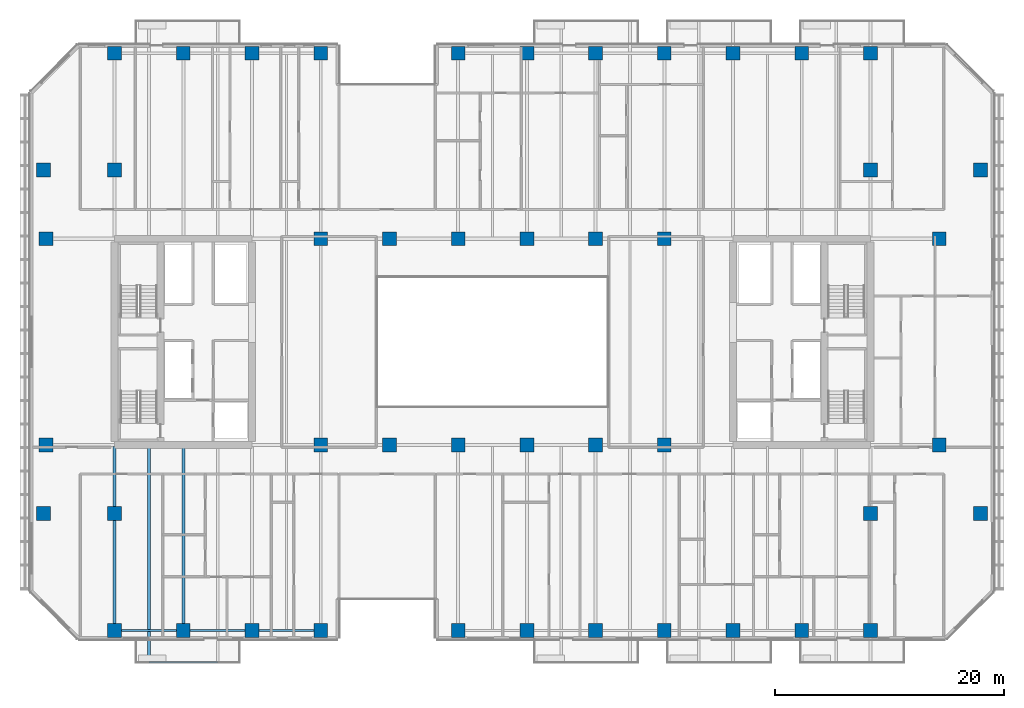
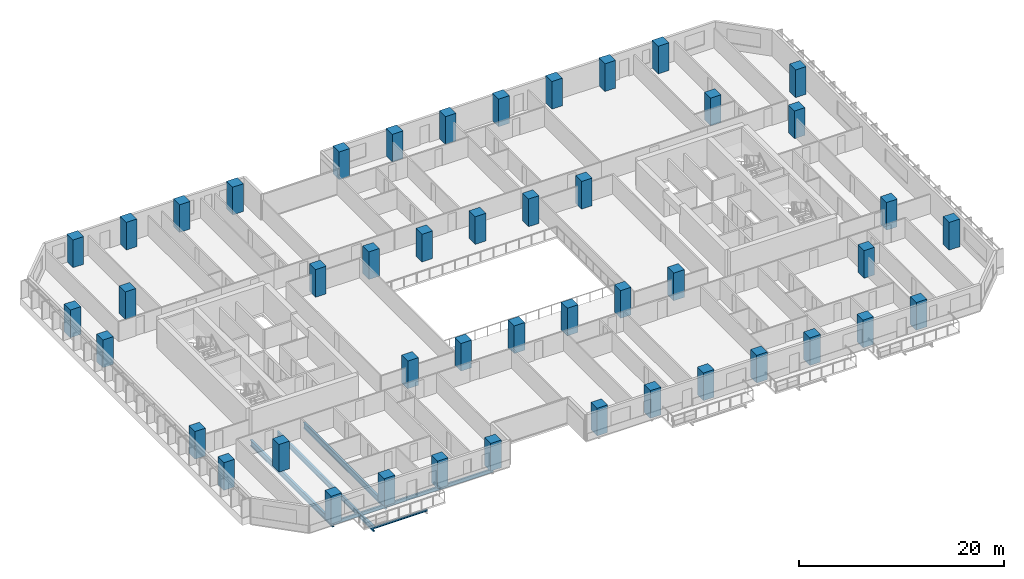
# One storey, part 1 of 26: 46 columns, 7 beams.
"""IFC4 building model written with IfcOpenShell, lengths in metres."""

from ifc_helpers import new_model, si_unit, direction, frame, origin, origin_2d, place, context, subcontext, project, spatial, rectangle, hollow_rectangle, i_section, extrude, material, material_profile, profile_set, type_object, element, save


model = new_model("IFC4")

# Units and contexts
model_context = context("Model", 3, precision=1e-05, world=origin(), true_north=direction((0.0, 1.0)))
body_context = subcontext(model_context, "Body", "Model", "MODEL_VIEW")
ifc_project = project(units=[si_unit("LENGTHUNIT", "METRE"), si_unit("AREAUNIT", "SQUARE_METRE"), si_unit("VOLUMEUNIT", "CUBIC_METRE"), si_unit("PLANEANGLEUNIT", "RADIAN"), si_unit("MASSUNIT", "GRAM", prefix="KILO")], contexts=[model_context])

# Site, building, storey
site_placement = place(None, origin())
site = spatial("IfcSite", under=ifc_project, at=site_placement, CompositionType="ELEMENT")
building_placement = place(site_placement, origin())
building = spatial("IfcBuilding", under=site, at=building_placement, Name="Tanjung Sevakor Pilgrim Tower", CompositionType="ELEMENT")
storey_placement = place(building_placement, frame((0.0, 0.0, 48.840087890625)))
storey = spatial("IfcBuildingStorey", under=building, at=storey_placement, Name="L13", CompositionType="ELEMENT", Elevation=48.840087890625)

# Columns
ifc_material_1 = material(Name="Concrete C60/75", Category="concrete")
ifc_material_profile_1 = material_profile(ifc_material_1, rectangle(XDim=1.199951171875, YDim=1.199951171875, at=origin_2d()))
ifc_profile_set_1 = profile_set([ifc_material_profile_1], Name="Concrete C60/75")
column_type = type_object("IfcColumnType", Name="COL-C-T1200-RC_1200x1200", PredefinedType="COLUMN", material=ifc_profile_set_1)
for number, where, z_axis, x_axis, name in (
    (1, (18.0, 24.60009765625, 0.0), (0.0, 0.0, 1.0), (1.0, 0.0, 0.0), "L13 Column SPW-018-246"),
    (2, (18.0, 42.60009765625, 0.0), (0.0, 0.0, 1.0), (1.0, 0.0, 0.0), "L13 Column SPW-018-426"),
    (3, (42.0, 24.60009765625, 0.0), (0.0, 0.0, 1.0), (1.0, 0.0, 0.0), "L13 Column SPW-042-246"),
    (4, (42.0, 42.60009765625, 0.0), (0.0, 0.0, 1.0), (1.0, 0.0, 0.0), "L13 Column SPW-042-426"),
    (5, (48.0, 24.60009765625, 0.0), (0.0, 0.0, 1.0), (1.0, 0.0, 0.0), "L13 Column SPW-048-246"),
    (6, (48.0, 42.60009765625, 0.0), (0.0, 0.0, 1.0), (1.0, 0.0, 0.0), "L13 Column SPW-048-426"),
    (7, (54.0, 24.60009765625, 0.0), (0.0, 0.0, 1.0), (1.0, 0.0, 0.0), "L13 Column SPE-054-246"),
    (8, (54.0, 42.60009765625, 0.0), (0.0, 0.0, 1.0), (1.0, 0.0, 0.0), "L13 Column SPE-054-426"),
    (9, (60.0, 24.60009765625, 0.0), (0.0, 0.0, 1.0), (1.0, 0.0, 0.0), "L13 Column SPE-060-246"),
    (10, (60.0, 42.60009765625, 0.0), (0.0, 0.0, 1.0), (1.0, 0.0, 0.0), "L13 Column SPE-060-426"),
    (11, (66.0, 24.60009765625, 0.0), (0.0, 0.0, 1.0), (1.0, 0.0, 0.0), "L13 Column SPE-066-246"),
    (12, (66.0, 42.60009765625, 0.0), (0.0, 0.0, 1.0), (1.0, 0.0, 0.0), "L13 Column SPE-066-426"),
    (13, (72.0, 24.60009765625, 0.0), (0.0, 0.0, 1.0), (1.0, 0.0, 0.0), "L13 Column SPE-072-246"),
    (14, (72.0, 42.60009765625, 0.0), (0.0, 0.0, 1.0), (1.0, 0.0, 0.0), "L13 Column SPE-072-426"),
    (15, (96.0, 24.60009765625, 0.0), (0.0, 0.0, 1.0), (1.0, 0.0, 0.0), "L13 Column SPE-096-246"),
    (16, (96.0, 42.60009765625, 0.0), (0.0, 0.0, 1.0), (1.0, 0.0, 0.0), "L13 Column SPE-096-426"),
    (17, (17.800048828125, 18.60009765625, 0.0), (0.0, 0.0, 1.0), (1.0, 0.0, 0.0), "L13 Column TCE-0178-186"),
    (18, (17.800048828125, 48.60009765625, 0.0), (0.0, 0.0, 1.0), (1.0, 0.0, 0.0), "L13 Column TCE-0178-486"),
    (19, (24.0, 18.60009765625, 0.0), (0.0, 0.0, 1.0), (1.0, 0.0, 0.0), "L13 Column TCE-0240-186"),
    (20, (24.0, 48.60009765625, 0.0), (0.0, 0.0, 1.0), (1.0, 0.0, 0.0), "L13 Column TCE-0240-486"),
    (21, (90.0, 18.60009765625, 0.0), (0.0, 0.0, 1.0), (1.0, 0.0, 0.0), "L13 Column TCE-0900-186"),
    (22, (90.0, 48.60009765625, 0.0), (0.0, 0.0, 1.0), (1.0, 0.0, 0.0), "L13 Column TCE-0900-486"),
    (23, (99.60009765625, 18.60009765625, 0.0), (0.0, 0.0, 1.0), (1.0, 0.0, 0.0), "L13 Column TCE-0996-186"),
    (24, (99.60009765625, 48.60009765625, 0.0), (0.0, 0.0, 1.0), (1.0, 0.0, 0.0), "L13 Column TCE-0996-486"),
    (25, (24.0, 8.39990234375, 0.0), (0.0, 0.0, 1.0), (1.0, 0.0, 0.0), "L13 Column TC1-024-084"),
    (26, (24.0, 58.800048828125, 0.0), (0.0, 0.0, 1.0), (1.0, 0.0, 0.0), "L13 Column TC1-024-588"),
    (27, (30.0, 8.39990234375, 0.0), (0.0, 0.0, 1.0), (1.0, 0.0, 0.0), "L13 Column TC1-030-084"),
    (28, (30.0, 58.800048828125, 0.0), (0.0, 0.0, 1.0), (1.0, 0.0, 0.0), "L13 Column TC1-030-588"),
    (29, (36.0, 8.39990234375, 0.0), (0.0, 0.0, 1.0), (1.0, 0.0, 0.0), "L13 Column TC1-036-084"),
    (30, (36.0, 58.800048828125, 0.0), (0.0, 0.0, 1.0), (1.0, 0.0, 0.0), "L13 Column TC1-036-588"),
    (31, (42.0, 8.39990234375, 0.0), (0.0, 0.0, 1.0), (1.0, 0.0, 0.0), "L13 Column TC1-042-084"),
    (32, (42.0, 58.800048828125, 0.0), (0.0, 0.0, 1.0), (1.0, 0.0, 0.0), "L13 Column TC1-042-588"),
    (33, (54.0, 8.39990234375, 0.0), (0.0, 0.0, 1.0), (1.0, 0.0, 0.0), "L13 Column TC1-054-084"),
    (34, (54.0, 58.800048828125, 0.0), (0.0, 0.0, 1.0), (1.0, 0.0, 0.0), "L13 Column TC1-054-588"),
    (35, (60.0, 8.39990234375, 0.0), (0.0, 0.0, 1.0), (1.0, 0.0, 0.0), "L13 Column TC1-060-084"),
    (36, (60.0, 58.800048828125, 0.0), (0.0, 0.0, 1.0), (1.0, 0.0, 0.0), "L13 Column TC1-060-588"),
    (37, (66.0, 8.39990234375, 0.0), (0.0, 0.0, 1.0), (1.0, 0.0, 0.0), "L13 Column TC1-066-084"),
    (38, (66.0, 58.800048828125, 0.0), (0.0, 0.0, 1.0), (1.0, 0.0, 0.0), "L13 Column TC1-066-588"),
    (39, (72.0, 8.39990234375, 0.0), (0.0, 0.0, 1.0), (1.0, 0.0, 0.0), "L13 Column TC1-072-084"),
    (40, (72.0, 58.800048828125, 0.0), (0.0, 0.0, 1.0), (1.0, 0.0, 0.0), "L13 Column TC1-072-588"),
    (41, (78.0, 8.39990234375, 0.0), (0.0, 0.0, 1.0), (1.0, 0.0, 0.0), "L13 Column TC1-078-084"),
    (42, (78.0, 58.800048828125, 0.0), (0.0, 0.0, 1.0), (1.0, 0.0, 0.0), "L13 Column TC1-078-588"),
    (43, (84.0, 8.39990234375, 0.0), (0.0, 0.0, 1.0), (1.0, 0.0, 0.0), "L13 Column TC1-084-084"),
    (44, (84.0, 58.800048828125, 0.0), (0.0, 0.0, 1.0), (1.0, 0.0, 0.0), "L13 Column TC1-084-588"),
    (45, (90.0, 8.39990234375, 0.0), (0.0, 0.0, 1.0), (1.0, 0.0, 0.0), "L13 Column TC1-090-084"),
    (46, (90.0, 58.800048828125, 0.0), (0.0, 0.0, 1.0), (1.0, 0.0, 0.0), "L13 Column TC1-090-588"),
):
    element("IfcColumn", number, at=place(storey_placement, frame(where, z_axis=z_axis, x_axis=x_axis)), inside=storey, type_object=column_type, Name=name, PredefinedType="COLUMN", context=body_context, shape_type="SweptSolid", body=[
        extrude(rectangle(XDim=1.199951171875, YDim=1.199951171875, at=origin_2d()), origin(), (0.0, 0.0, 1.0), 3.2998046875),
    ])

# Beams
ifc_material_2 = material(Name="Steel S355J2", Category="steel")
ifc_material_profile_2 = material_profile(ifc_material_2, i_section(OverallWidth=0.25439453125, OverallDepth=0.6875, WebThickness=0.01318359375, FlangeThickness=0.02099609375, FilletRadius=0.01513671875, at=origin_2d()))
ifc_profile_set_2 = profile_set([ifc_material_profile_2], Name="Steel S355J2")
beam_type_1 = type_object("IfcBeamType", Name="BM-B-G2-UB_686x254x152", PredefinedType="BEAM", material=ifc_profile_set_2)
for number, where, z_axis, x_axis, name in (
    (47, (24.0, 8.39990234375, -0.56396484375), (0.0, 1.0, 0.0), (-1.0, 0.0, 0.0), "L13 MAIN Girder 001"),
    (48, (30.0, 8.39990234375, -0.56396484375), (0.0, 1.0, 0.0), (-1.0, 0.0, 0.0), "L13 MAIN Girder 003"),
):
    element("IfcBeam", number, at=place(storey_placement, frame(where, z_axis=z_axis, x_axis=x_axis)), inside=storey, type_object=beam_type_1, Name=name, PredefinedType="BEAM", context=body_context, shape_type="SweptSolid", body=[
        extrude(i_section(OverallWidth=0.25439453125, OverallDepth=0.6875, WebThickness=0.01318359375, FlangeThickness=0.02099609375, FilletRadius=0.01513671875, at=origin_2d()), origin(), (0.0, 0.0, 1.0), 16.066162109375),
    ])
ifc_material_3 = material(Name="Steel S355J2", Category="steel")
ifc_material_profile_3 = material_profile(ifc_material_3, i_section(OverallWidth=0.22900390625, OverallDepth=0.6123046875, WebThickness=0.011962890625, FlangeThickness=0.01953125, FilletRadius=0.0126953125, at=origin_2d()))
ifc_profile_set_3 = profile_set([ifc_material_profile_3], Name="Steel S355J2")
beam_type_2 = type_object("IfcBeamType", Name="BM-B-G4-UB_610x229x125", PredefinedType="BEAM", material=ifc_profile_set_3)
beam_1_placement = place(storey_placement, frame((27.0, 24.466064453125, -0.526123046875), z_axis=(0.0, -1.0, 0.0), x_axis=(1.0, 0.0, 0.0)))
element("IfcBeam", 49, at=beam_1_placement, inside=storey, type_object=beam_type_2, Name="L13 Balcony Cantilever Beam MAIN-S1-1", PredefinedType="BEAM", context=body_context, shape_type="SweptSolid", body=[
    extrude(i_section(OverallWidth=0.22900390625, OverallDepth=0.6123046875, WebThickness=0.011962890625, FlangeThickness=0.01953125, FilletRadius=0.0126953125, at=origin_2d()), origin(), (0.0, 0.0, 1.0), 18.845947265625),
])
ifc_material_4 = material(Name="Steel S355J2", Category="steel")
ifc_material_profile_4 = material_profile(ifc_material_4, i_section(OverallWidth=0.146484375, OverallDepth=0.256103515625, WebThickness=0.00634765625, FlangeThickness=0.010986328125, FilletRadius=0.007568359375, at=origin_2d()))
ifc_profile_set_4 = profile_set([ifc_material_profile_4], Name="Steel S355J2")
beam_type_3 = type_object("IfcBeamType", Name="BM-B-J6-UB_254x146x37", PredefinedType="JOIST", material=ifc_profile_set_4)
beam_2_placement = place(storey_placement, frame((27.0, 5.6201171875, -0.328125), z_axis=(1.0, 0.0, 0.0), x_axis=(0.0, 1.0, 0.0)))
element("IfcBeam", 50, at=beam_2_placement, inside=storey, type_object=beam_type_3, Name="L13 Balcony Rim Tie MAIN-S1", PredefinedType="JOIST", context=body_context, shape_type="SweptSolid", body=[
    extrude(i_section(OverallWidth=0.146484375, OverallDepth=0.256103515625, WebThickness=0.00634765625, FlangeThickness=0.010986328125, FilletRadius=0.007568359375, at=origin_2d()), origin(), (0.0, 0.0, 1.0), 6.0),
])
ifc_material_5 = material(Name="Steel S355J2", Category="steel")
ifc_material_profile_5 = material_profile(ifc_material_5, hollow_rectangle(XDim=0.199951171875, YDim=0.39990234375, WallThickness=0.01611328125, at=origin_2d()))
ifc_profile_set_5 = profile_set([ifc_material_profile_5], Name="Steel S355J2")
beam_type_4 = type_object("IfcBeamType", Name="BM-B-SP2-RHS_400x200x16", PredefinedType="SPANDREL", material=ifc_profile_set_5)
for number, where, z_axis, x_axis, name in (
    (51, (24.0, 8.39990234375, -0.420166015625), (1.0, 0.0, 0.0), (0.0, 1.0, 0.0), "L13 Spandrel MAIN S-01"),
    (52, (30.0, 8.39990234375, -0.420166015625), (1.0, 0.0, 0.0), (0.0, 1.0, 0.0), "L13 Spandrel MAIN S-03"),
    (53, (36.0, 8.39990234375, -0.420166015625), (1.0, 0.0, 0.0), (0.0, 1.0, 0.0), "L13 Spandrel MAIN S-05"),
):
    element("IfcBeam", number, at=place(storey_placement, frame(where, z_axis=z_axis, x_axis=x_axis)), inside=storey, type_object=beam_type_4, Name=name, PredefinedType="SPANDREL", context=body_context, shape_type="SweptSolid", body=[
        extrude(hollow_rectangle(XDim=0.199951171875, YDim=0.39990234375, WallThickness=0.01611328125, at=origin_2d()), origin(), (0.0, 0.0, 1.0), 6.0),
    ])

save(model, "model.ifc")
